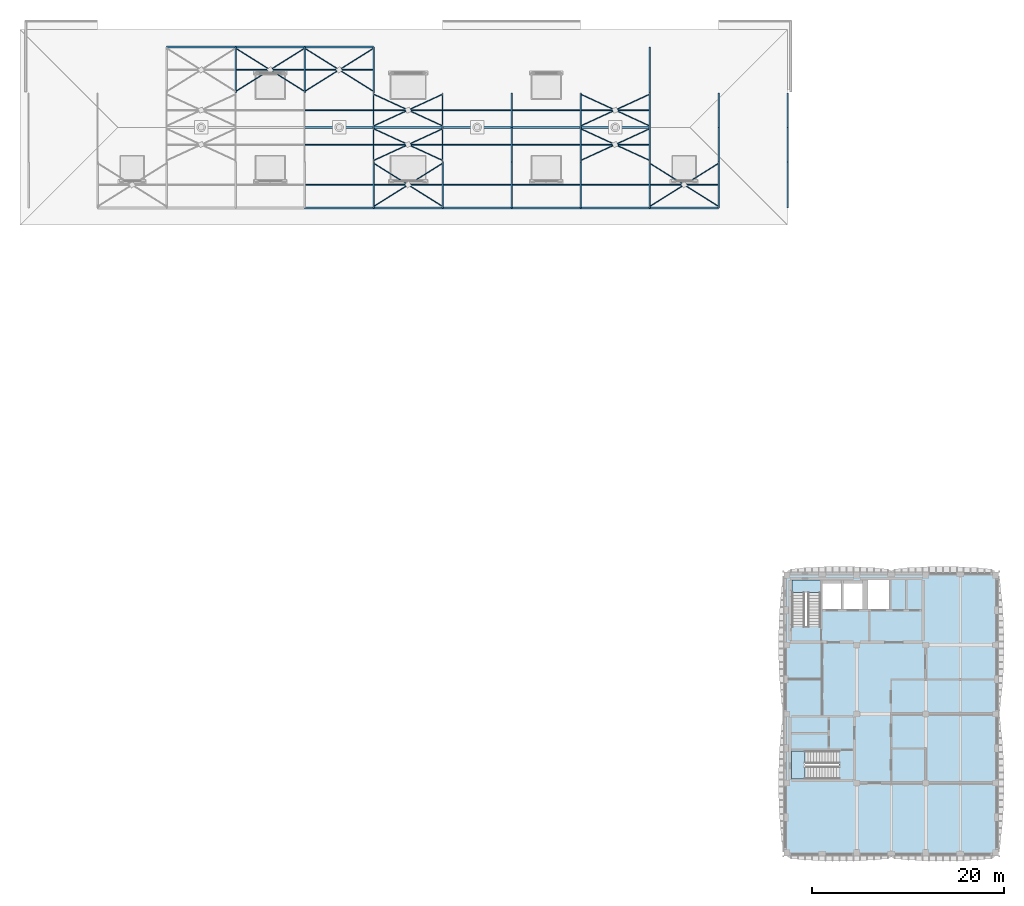
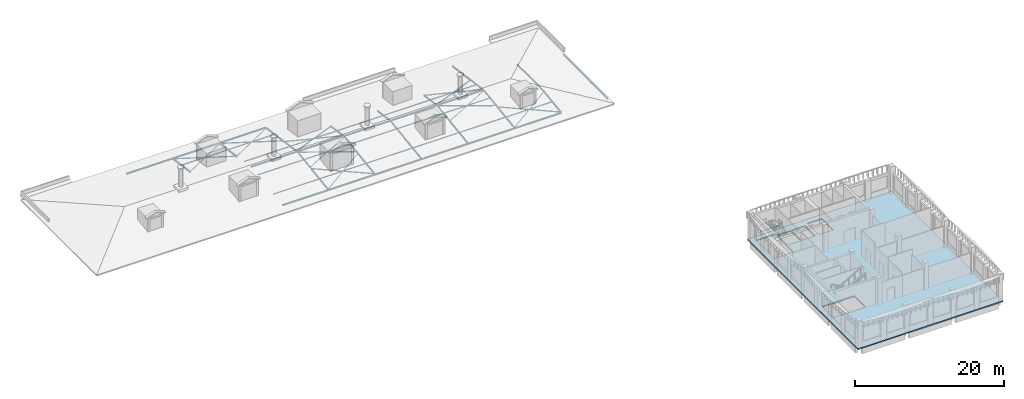
# One storey, part 2 of 24: 81 members, 3 slabs, 2 elements without a shape of their own.
"""IFC4 building model written with IfcOpenShell, lengths in metres."""

from ifc_helpers import new_model, si_unit, direction, frame, origin, origin_2d, place, context, subcontext, project, spatial, polyline, hollow_rectangle, hollow_circle, i_section, outline, extrude, material, layer, layer_set, material_profile, profile_set, type_object, element, aggregate, save


model = new_model("IFC4")

# Units and contexts
model_context = context("Model", 3, precision=1e-05, world=origin(), true_north=direction((0.0, 1.0)))
body_context = subcontext(model_context, "Body", "Model", "MODEL_VIEW")
ifc_project = project(units=[si_unit("LENGTHUNIT", "METRE"), si_unit("AREAUNIT", "SQUARE_METRE"), si_unit("VOLUMEUNIT", "CUBIC_METRE"), si_unit("PLANEANGLEUNIT", "RADIAN"), si_unit("MASSUNIT", "GRAM", prefix="KILO")], contexts=[model_context])

# Site, building, storey
site_placement = place(None, origin())
site = spatial("IfcSite", under=ifc_project, at=site_placement, CompositionType="ELEMENT")
building_placement = place(site_placement, origin())
building = spatial("IfcBuilding", under=site, at=building_placement, Name="Ussher Court Research Institute", CompositionType="ELEMENT")
storey_placement = place(building_placement, frame((0.0, 0.0, 32.39990234375)))
storey = spatial("IfcBuildingStorey", under=building, at=storey_placement, Name="L07", CompositionType="ELEMENT", Elevation=32.39990234375)

# Members
ifc_material_1 = material(Name="Steel S355", Category="steel")
ifc_material_profile_1 = material_profile(ifc_material_1, hollow_circle(Radius=0.056884765625, WallThickness=0.0048828125, at=origin_2d()), Name="CHS 114x5")
ifc_profile_set_1 = profile_set([ifc_material_profile_1], Name="Steel S355")
member_type_1 = type_object("IfcMemberType", Name="CHS 114x5 brace", PredefinedType="BRACE", material=ifc_profile_set_1)
member_1_placement = place(storey_placement, frame((39.00927734375, 71.35009765625, -0.02490234375), z_axis=(0.845032241138, 0.52951331867, 0.074405354566), x_axis=(-0.530985167162, 0.847381113935, 0.0)))
element("IfcMember", 1, at=member_1_placement, inside=storey, type_object=member_type_1, Name="RB1 V5 L07-04", PredefinedType="BRACE", context=body_context, shape_type="SweptSolid", body=[
    extrude(hollow_circle(Radius=0.056884765625, WallThickness=0.0048828125, at=origin_2d()), origin(), (0.0, 0.0, 1.0), 8.498291015625),
])
for number, where, z_axis, x_axis, name in (
    (2, (39.00927734375, 75.85009765625, 0.607421875), (0.845019063031, -0.529535180908, -0.074399430743), (0.531006854827, 0.847367523644, 0.0), "RB1 V5 L07-05"),
    (3, (42.649658203125, 73.56884765625, 0.286865234375), (0.845045132744, -0.529493254714, -0.074401726042), (0.530964903291, 0.847393811326, 0.0), "RB1 V5 L07-06"),
):
    element("IfcMember", number, at=place(storey_placement, frame(where, z_axis=z_axis, x_axis=x_axis)), inside=storey, type_object=member_type_1, Name=name, PredefinedType="BRACE", context=body_context, shape_type="SweptSolid", body=[
        extrude(hollow_circle(Radius=0.056884765625, WallThickness=0.0048828125, at=origin_2d()), origin(), (0.0, 0.0, 1.0), 4.1904296875),
    ])
member_2_placement = place(storey_placement, frame((67.809326171875, 71.35009765625, -0.02490234375), z_axis=(0.845032241138, 0.52951331867, 0.074405354566), x_axis=(-0.530985167162, 0.847381113935, 0.0)))
element("IfcMember", 4, at=member_2_placement, inside=storey, type_object=member_type_1, Name="RB1 V5 L07-07", PredefinedType="BRACE", context=body_context, shape_type="SweptSolid", body=[
    extrude(hollow_circle(Radius=0.056884765625, WallThickness=0.0048828125, at=origin_2d()), origin(), (0.0, 0.0, 1.0), 8.498291015625),
])
for number, where, z_axis, x_axis, name in (
    (5, (67.809326171875, 75.85009765625, 0.607421875), (0.845019063031, -0.529535180908, -0.074399430743), (0.531006854827, 0.847367523644, 0.0), "RB1 V5 L07-08"),
    (6, (71.44970703125, 73.56884765625, 0.286865234375), (0.845045132744, -0.529493254714, -0.074401726042), (0.530964903291, 0.847393811326, 0.0), "RB1 V5 L07-09"),
):
    element("IfcMember", number, at=place(storey_placement, frame(where, z_axis=z_axis, x_axis=x_axis)), inside=storey, type_object=member_type_1, Name=name, PredefinedType="BRACE", context=body_context, shape_type="SweptSolid", body=[
        extrude(hollow_circle(Radius=0.056884765625, WallThickness=0.0048828125, at=origin_2d()), origin(), (0.0, 0.0, 1.0), 4.1904296875),
    ])
member_3_placement = place(storey_placement, frame((39.009033203125, 76.14990234375, 0.649658203125), z_axis=(0.907103291357, 0.416810524162, 0.058588443879), x_axis=(-0.417527744244, 0.908664174922, 0.0)))
element("IfcMember", 7, at=member_3_placement, inside=storey, type_object=member_type_1, Name="RB1 V5 L07-13", PredefinedType="BRACE", context=body_context, shape_type="SweptSolid", body=[
    extrude(hollow_circle(Radius=0.056884765625, WallThickness=0.0048828125, at=origin_2d()), origin(), (0.0, 0.0, 1.0), 7.91748046875),
])
member_4_placement = place(storey_placement, frame((39.009033203125, 79.449951171875, 1.113525390625), z_axis=(0.907105449225, -0.416800234091, -0.058628225699), x_axis=(0.417518413284, 0.908668462405, 0.0)))
element("IfcMember", 8, at=member_4_placement, inside=storey, type_object=member_type_1, Name="RB1 V5 L07-14", PredefinedType="BRACE", context=body_context, shape_type="SweptSolid", body=[
    extrude(hollow_circle(Radius=0.056884765625, WallThickness=0.0048828125, at=origin_2d()), origin(), (0.0, 0.0, 1.0), 3.889404296875),
])
member_5_placement = place(storey_placement, frame((42.6630859375, 77.77099609375, 0.87744140625), z_axis=(0.907097664625, -0.416825501253, -0.05856900492), x_axis=(0.41754227001, 0.908657500247, 0.0)))
element("IfcMember", 9, at=member_5_placement, inside=storey, type_object=member_type_1, Name="RB1 V5 L07-15", PredefinedType="BRACE", context=body_context, shape_type="SweptSolid", body=[
    extrude(hollow_circle(Radius=0.056884765625, WallThickness=0.0048828125, at=origin_2d()), origin(), (0.0, 0.0, 1.0), 3.88916015625),
])
member_6_placement = place(storey_placement, frame((60.609130859375, 76.14990234375, 0.649658203125), z_axis=(0.907103291357, 0.416810524162, 0.058588443879), x_axis=(-0.417527744244, 0.908664174922, 0.0)))
element("IfcMember", 10, at=member_6_placement, inside=storey, type_object=member_type_1, Name="RB1 V5 L07-16", PredefinedType="BRACE", context=body_context, shape_type="SweptSolid", body=[
    extrude(hollow_circle(Radius=0.056884765625, WallThickness=0.0048828125, at=origin_2d()), origin(), (0.0, 0.0, 1.0), 7.91748046875),
])
member_7_placement = place(storey_placement, frame((60.609130859375, 79.449951171875, 1.113525390625), z_axis=(0.907094327762, -0.416823967913, -0.058631564161), x_axis=(0.41754227001, 0.908657500247, 0.0)))
element("IfcMember", 11, at=member_7_placement, inside=storey, type_object=member_type_1, Name="RB1 V5 L07-17", PredefinedType="BRACE", context=body_context, shape_type="SweptSolid", body=[
    extrude(hollow_circle(Radius=0.056884765625, WallThickness=0.0048828125, at=origin_2d()), origin(), (0.0, 0.0, 1.0), 3.88916015625),
])
member_8_placement = place(storey_placement, frame((64.262939453125, 77.77099609375, 0.87744140625), z_axis=(0.907108785749, -0.41680176717, -0.058565669995), x_axis=(0.417518413284, 0.908668462405, 0.0)))
element("IfcMember", 12, at=member_8_placement, inside=storey, type_object=member_type_1, Name="RB1 V5 L07-18", PredefinedType="BRACE", context=body_context, shape_type="SweptSolid", body=[
    extrude(hollow_circle(Radius=0.056884765625, WallThickness=0.0048828125, at=origin_2d()), origin(), (0.0, 0.0, 1.0), 3.889404296875),
])
member_9_placement = place(storey_placement, frame((39.009033203125, 79.75, 1.113525390625), z_axis=(0.907103291357, 0.416810524162, -0.058588443879), x_axis=(-0.417527744244, 0.908664174922, 0.0)))
element("IfcMember", 13, at=member_9_placement, inside=storey, type_object=member_type_1, Name="RB1 V5 L07-22", PredefinedType="BRACE", context=body_context, shape_type="SweptSolid", body=[
    extrude(hollow_circle(Radius=0.056884765625, WallThickness=0.0048828125, at=origin_2d()), origin(), (0.0, 0.0, 1.0), 7.91748046875),
])
member_10_placement = place(storey_placement, frame((39.009033203125, 83.050048828125, 0.649658203125), z_axis=(0.907108785749, -0.41680176717, 0.058565669995), x_axis=(0.417518413284, 0.908668462405, 0.0)))
element("IfcMember", 14, at=member_10_placement, inside=storey, type_object=member_type_1, Name="RB1 V5 L07-23", PredefinedType="BRACE", context=body_context, shape_type="SweptSolid", body=[
    extrude(hollow_circle(Radius=0.056884765625, WallThickness=0.0048828125, at=origin_2d()), origin(), (0.0, 0.0, 1.0), 3.889404296875),
])
member_11_placement = place(storey_placement, frame((42.6630859375, 81.37109375, 0.885498046875), z_axis=(0.907094327762, -0.416823967913, 0.058631564161), x_axis=(0.41754227001, 0.908657500247, 0.0)))
element("IfcMember", 15, at=member_11_placement, inside=storey, type_object=member_type_1, Name="RB1 V5 L07-24", PredefinedType="BRACE", context=body_context, shape_type="SweptSolid", body=[
    extrude(hollow_circle(Radius=0.056884765625, WallThickness=0.0048828125, at=origin_2d()), origin(), (0.0, 0.0, 1.0), 3.88916015625),
])
member_12_placement = place(storey_placement, frame((60.609130859375, 79.75, 1.113525390625), z_axis=(0.907103291357, 0.416810524162, -0.058588443879), x_axis=(-0.417527744244, 0.908664174922, 0.0)))
element("IfcMember", 16, at=member_12_placement, inside=storey, type_object=member_type_1, Name="RB1 V5 L07-25", PredefinedType="BRACE", context=body_context, shape_type="SweptSolid", body=[
    extrude(hollow_circle(Radius=0.056884765625, WallThickness=0.0048828125, at=origin_2d()), origin(), (0.0, 0.0, 1.0), 7.91748046875),
])
member_13_placement = place(storey_placement, frame((60.609130859375, 83.050048828125, 0.649658203125), z_axis=(0.907097664625, -0.416825501253, 0.05856900492), x_axis=(0.41754227001, 0.908657500247, 0.0)))
element("IfcMember", 17, at=member_13_placement, inside=storey, type_object=member_type_1, Name="RB1 V5 L07-26", PredefinedType="BRACE", context=body_context, shape_type="SweptSolid", body=[
    extrude(hollow_circle(Radius=0.056884765625, WallThickness=0.0048828125, at=origin_2d()), origin(), (0.0, 0.0, 1.0), 3.88916015625),
])
member_14_placement = place(storey_placement, frame((64.262939453125, 81.37109375, 0.885498046875), z_axis=(0.907105449225, -0.416800234091, 0.058628225699), x_axis=(0.417518413284, 0.908668462405, 0.0)))
element("IfcMember", 18, at=member_14_placement, inside=storey, type_object=member_type_1, Name="RB1 V5 L07-27", PredefinedType="BRACE", context=body_context, shape_type="SweptSolid", body=[
    extrude(hollow_circle(Radius=0.056884765625, WallThickness=0.0048828125, at=origin_2d()), origin(), (0.0, 0.0, 1.0), 3.889404296875),
])
member_15_placement = place(storey_placement, frame((24.609375, 83.35009765625, 0.607421875), z_axis=(0.845032241138, 0.52951331867, -0.074405354566), x_axis=(-0.530985167162, 0.847381113935, 0.0)))
element("IfcMember", 19, at=member_15_placement, inside=storey, type_object=member_type_1, Name="RB1 V5 L07-31", PredefinedType="BRACE", context=body_context, shape_type="SweptSolid", body=[
    extrude(hollow_circle(Radius=0.056884765625, WallThickness=0.0048828125, at=origin_2d()), origin(), (0.0, 0.0, 1.0), 8.498291015625),
])
for number, where, z_axis, x_axis, name in (
    (20, (24.609375, 87.85009765625, -0.02490234375), (0.845019063031, -0.529535180908, 0.074399430743), (0.531006854827, 0.847367523644, 0.0), "RB1 V5 L07-32"),
    (21, (28.24951171875, 85.56884765625, 0.295654296875), (0.845061788803, -0.529467186256, 0.074398063034), (0.530938616878, 0.84741028145, 0.0), "RB1 V5 L07-33"),
):
    element("IfcMember", number, at=place(storey_placement, frame(where, z_axis=z_axis, x_axis=x_axis)), inside=storey, type_object=member_type_1, Name=name, PredefinedType="BRACE", context=body_context, shape_type="SweptSolid", body=[
        extrude(hollow_circle(Radius=0.056884765625, WallThickness=0.0048828125, at=origin_2d()), origin(), (0.0, 0.0, 1.0), 4.1904296875),
    ])
member_16_placement = place(storey_placement, frame((31.809326171875, 83.35009765625, 0.607421875), z_axis=(0.845032241138, 0.52951331867, -0.074405354566), x_axis=(-0.530985167162, 0.847381113935, 0.0)))
element("IfcMember", 22, at=member_16_placement, inside=storey, type_object=member_type_1, Name="RB1 V5 L07-34", PredefinedType="BRACE", context=body_context, shape_type="SweptSolid", body=[
    extrude(hollow_circle(Radius=0.056884765625, WallThickness=0.0048828125, at=origin_2d()), origin(), (0.0, 0.0, 1.0), 8.498291015625),
])
for number, where, z_axis, x_axis, name in (
    (23, (31.809326171875, 87.85009765625, -0.02490234375), (0.845019063031, -0.529535180908, 0.074399430743), (0.531006854827, 0.847367523644, 0.0), "RB1 V5 L07-35"),
    (24, (35.44970703125, 85.56884765625, 0.295654296875), (0.845045132744, -0.529493254714, 0.074401726042), (0.530964903291, 0.847393811326, 0.0), "RB1 V5 L07-36"),
):
    element("IfcMember", number, at=place(storey_placement, frame(where, z_axis=z_axis, x_axis=x_axis)), inside=storey, type_object=member_type_1, Name=name, PredefinedType="BRACE", context=body_context, shape_type="SweptSolid", body=[
        extrude(hollow_circle(Radius=0.056884765625, WallThickness=0.0048828125, at=origin_2d()), origin(), (0.0, 0.0, 1.0), 4.1904296875),
    ])
ifc_material_2 = material(Name="Steel S355", Category="steel")
ifc_material_profile_2 = material_profile(ifc_material_2, i_section(OverallWidth=0.199951171875, OverallDepth=0.18994140625, WebThickness=0.006591796875, FlangeThickness=0.010009765625, at=origin_2d()), Name="HEA 200")
ifc_profile_set_2 = profile_set([ifc_material_profile_2], Name="Steel S355")
member_type_2 = type_object("IfcMemberType", Name="HEA 200 purlin", PredefinedType="PURLIN", material=ifc_profile_set_2)
for number, where, z_axis, x_axis, name in (
    (25, (31.800048828125, 79.60009765625, 1.128662109375), (1.0, 0.0, 0.0), (0.0, 1.0, 0.0), "SP1 V5 L07-03"),
    (26, (39.0, 79.60009765625, 1.128662109375), (1.0, 0.0, 0.0), (0.0, 1.0, 0.0), "SP1 V5 L07-04"),
    (27, (46.199951171875, 79.60009765625, 1.128662109375), (1.0, 0.0, 0.0), (0.0, 1.0, 0.0), "SP1 V5 L07-05"),
):
    element("IfcMember", number, at=place(storey_placement, frame(where, z_axis=z_axis, x_axis=x_axis)), inside=storey, type_object=member_type_2, Name=name, PredefinedType="PURLIN", context=body_context, shape_type="SweptSolid", body=[
        extrude(i_section(OverallWidth=0.199951171875, OverallDepth=0.18994140625, WebThickness=0.006591796875, FlangeThickness=0.010009765625, at=origin_2d()), origin(), (0.0, 0.0, 1.0), 7.199951171875),
    ])
member_17_placement = place(storey_placement, frame((53.39990234375, 79.60009765625, 1.128662109375), z_axis=(1.0, 0.0, 0.0), x_axis=(0.0, 1.0, 0.0)))
element("IfcMember", 28, at=member_17_placement, inside=storey, type_object=member_type_2, Name="SP1 V5 L07-06", PredefinedType="PURLIN", context=body_context, shape_type="SweptSolid", body=[
    extrude(i_section(OverallWidth=0.199951171875, OverallDepth=0.18994140625, WebThickness=0.006591796875, FlangeThickness=0.010009765625, at=origin_2d()), origin(), (0.0, 0.0, 1.0), 7.2001953125),
])
member_18_placement = place(storey_placement, frame((60.60009765625, 79.60009765625, 1.128662109375), z_axis=(1.0, 0.0, 0.0), x_axis=(0.0, 1.0, 0.0)))
element("IfcMember", 29, at=member_18_placement, inside=storey, type_object=member_type_2, Name="SP1 V5 L07-07", PredefinedType="PURLIN", context=body_context, shape_type="SweptSolid", body=[
    extrude(i_section(OverallWidth=0.199951171875, OverallDepth=0.18994140625, WebThickness=0.006591796875, FlangeThickness=0.010009765625, at=origin_2d()), origin(), (0.0, 0.0, 1.0), 7.199951171875),
])
ifc_material_3 = material(Name="Steel S355", Category="steel")
ifc_material_profile_3 = material_profile(ifc_material_3, i_section(OverallWidth=0.199951171875, OverallDepth=0.199951171875, WebThickness=0.009033203125, FlangeThickness=0.014892578125, at=origin_2d()), Name="HEB 200")
ifc_profile_set_3 = profile_set([ifc_material_profile_3], Name="Steel S355")
member_type_3 = type_object("IfcMemberType", Name="HEB 200 purlin", PredefinedType="PURLIN", material=ifc_profile_set_3)
for number, where, z_axis, x_axis, name in (
    (30, (31.800048828125, 71.199951171875, -0.056884765625), (1.0, 0.0, 0.0), (0.0, 1.0, 0.0), "SP5 V5 L07-04"),
    (31, (39.0, 71.199951171875, -0.056884765625), (1.0, 0.0, 0.0), (0.0, 1.0, 0.0), "SP5 V5 L07-05"),
    (32, (46.199951171875, 71.199951171875, -0.056884765625), (1.0, 0.0, 0.0), (0.0, 1.0, 0.0), "SP5 V5 L07-06"),
):
    element("IfcMember", number, at=place(storey_placement, frame(where, z_axis=z_axis, x_axis=x_axis)), inside=storey, type_object=member_type_3, Name=name, PredefinedType="PURLIN", context=body_context, shape_type="SweptSolid", body=[
        extrude(i_section(OverallWidth=0.199951171875, OverallDepth=0.199951171875, WebThickness=0.009033203125, FlangeThickness=0.014892578125, at=origin_2d()), origin(), (0.0, 0.0, 1.0), 7.199951171875),
    ])
member_19_placement = place(storey_placement, frame((53.39990234375, 71.199951171875, -0.056884765625), z_axis=(1.0, 0.0, 0.0), x_axis=(0.0, 1.0, 0.0)))
element("IfcMember", 33, at=member_19_placement, inside=storey, type_object=member_type_3, Name="SP5 V5 L07-07", PredefinedType="PURLIN", context=body_context, shape_type="SweptSolid", body=[
    extrude(i_section(OverallWidth=0.199951171875, OverallDepth=0.199951171875, WebThickness=0.009033203125, FlangeThickness=0.014892578125, at=origin_2d()), origin(), (0.0, 0.0, 1.0), 7.2001953125),
])
for number, where, z_axis, x_axis, name in (
    (34, (60.60009765625, 71.199951171875, -0.056884765625), (1.0, 0.0, 0.0), (0.0, 1.0, 0.0), "SP5 V5 L07-08"),
    (35, (67.800048828125, 71.199951171875, -0.056884765625), (1.0, 0.0, 0.0), (0.0, 1.0, 0.0), "SP5 V5 L07-09"),
):
    element("IfcMember", number, at=place(storey_placement, frame(where, z_axis=z_axis, x_axis=x_axis)), inside=storey, type_object=member_type_3, Name=name, PredefinedType="PURLIN", context=body_context, shape_type="SweptSolid", body=[
        extrude(i_section(OverallWidth=0.199951171875, OverallDepth=0.199951171875, WebThickness=0.009033203125, FlangeThickness=0.014892578125, at=origin_2d()), origin(), (0.0, 0.0, 1.0), 7.199951171875),
    ])
member_20_placement = place(storey_placement, frame((17.39990234375, 88.0, -0.056884765625), z_axis=(1.0, 0.0, 0.0), x_axis=(0.0, 1.0, 0.0)))
element("IfcMember", 36, at=member_20_placement, inside=storey, type_object=member_type_3, Name="SP5 V5 L07-10", PredefinedType="PURLIN", context=body_context, shape_type="SweptSolid", body=[
    extrude(i_section(OverallWidth=0.199951171875, OverallDepth=0.199951171875, WebThickness=0.009033203125, FlangeThickness=0.014892578125, at=origin_2d()), origin(), (0.0, 0.0, 1.0), 7.2001953125),
])
for number, where, z_axis, x_axis, name in (
    (37, (24.60009765625, 88.0, -0.056884765625), (1.0, 0.0, 0.0), (0.0, 1.0, 0.0), "SP5 V5 L07-11"),
    (38, (31.800048828125, 88.0, -0.056884765625), (1.0, 0.0, 0.0), (0.0, 1.0, 0.0), "SP5 V5 L07-12"),
):
    element("IfcMember", number, at=place(storey_placement, frame(where, z_axis=z_axis, x_axis=x_axis)), inside=storey, type_object=member_type_3, Name=name, PredefinedType="PURLIN", context=body_context, shape_type="SweptSolid", body=[
        extrude(i_section(OverallWidth=0.199951171875, OverallDepth=0.199951171875, WebThickness=0.009033203125, FlangeThickness=0.014892578125, at=origin_2d()), origin(), (0.0, 0.0, 1.0), 7.199951171875),
    ])
ifc_material_4 = material(Name="Steel S355", Category="steel")
ifc_material_profile_4 = material_profile(ifc_material_4, i_section(OverallWidth=0.1201171875, OverallDepth=0.239990234375, WebThickness=0.006103515625, FlangeThickness=0.009765625, at=origin_2d()), Name="IPE 240")
ifc_profile_set_4 = profile_set([ifc_material_profile_4], Name="Steel S355")
member_type_4 = type_object("IfcMemberType", Name="IPE 240 rafter", PredefinedType="RAFTER", material=ifc_profile_set_4)
for number, where, z_axis, x_axis, name in (
    (39, (39.0, 76.0166015625, 0.61279296875), (0.0, 0.990262655095, 0.139211615625), (-1.0, 0.0, 0.0), "SR4 V5 L07-11"),
    (40, (39.0, 79.583251953125, 1.118896484375), (0.0, 0.990262655095, -0.139211615625), (-1.0, 0.0, 0.0), "SR4 V5 L07-12"),
    (41, (46.199951171875, 76.0166015625, 0.61279296875), (0.0, 0.990262655095, 0.139211615625), (-1.0, 0.0, 0.0), "SR4 V5 L07-13"),
    (42, (46.199951171875, 79.583251953125, 1.118896484375), (0.0, 0.990262655095, -0.139211615625), (-1.0, 0.0, 0.0), "SR4 V5 L07-14"),
    (43, (53.39990234375, 76.0166015625, 0.61279296875), (0.0, 0.990262655095, 0.139211615625), (-1.0, 0.0, 0.0), "SR4 V5 L07-15"),
    (44, (53.39990234375, 79.583251953125, 1.118896484375), (0.0, 0.990262655095, -0.139211615625), (-1.0, 0.0, 0.0), "SR4 V5 L07-16"),
    (45, (60.60009765625, 76.0166015625, 0.61279296875), (0.0, 0.990262655095, 0.139211615625), (-1.0, 0.0, 0.0), "SR4 V5 L07-17"),
    (46, (60.60009765625, 79.583251953125, 1.118896484375), (0.0, 0.990262655095, -0.139211615625), (-1.0, 0.0, 0.0), "SR4 V5 L07-18"),
    (47, (67.800048828125, 76.0166015625, 0.61279296875), (0.0, 0.990262655095, 0.139211615625), (-1.0, 0.0, 0.0), "SR4 V5 L07-19"),
    (48, (67.800048828125, 79.583251953125, 1.118896484375), (0.0, 0.990262655095, -0.139211615625), (-1.0, 0.0, 0.0), "SR4 V5 L07-20"),
):
    element("IfcMember", number, at=place(storey_placement, frame(where, z_axis=z_axis, x_axis=x_axis)), inside=storey, type_object=member_type_4, Name=name, PredefinedType="RAFTER", context=body_context, shape_type="SweptSolid", body=[
        extrude(i_section(OverallWidth=0.1201171875, OverallDepth=0.239990234375, WebThickness=0.006103515625, FlangeThickness=0.009765625, at=origin_2d()), origin(), (0.0, 0.0, 1.0), 3.635498046875),
    ])
for number, where, z_axis, x_axis, name in (
    (49, (75.0, 76.00244140625, 0.61181640625), (0.0, 0.999779097308, 0.02101800625), (-1.0, 0.0, 0.0), "SR4 V5 L07-21"),
    (50, (75.0, 79.597412109375, 0.6875), (0.0, 0.999779097308, -0.02101800625), (-1.0, 0.0, 0.0), "SR4 V5 L07-22"),
):
    element("IfcMember", number, at=place(storey_placement, frame(where, z_axis=z_axis, x_axis=x_axis)), inside=storey, type_object=member_type_4, Name=name, PredefinedType="RAFTER", context=body_context, shape_type="SweptSolid", body=[
        extrude(i_section(OverallWidth=0.1201171875, OverallDepth=0.239990234375, WebThickness=0.006103515625, FlangeThickness=0.009765625, at=origin_2d()), origin(), (0.0, 0.0, 1.0), 3.600830078125),
    ])
member_21_placement = place(storey_placement, frame((82.199951171875, 76.0, -0.31591796875), z_axis=(0.0, 1.0, 0.0), x_axis=(-1.0, 0.0, 0.0)))
element("IfcMember", 51, at=member_21_placement, inside=storey, type_object=member_type_4, Name="SR4 V5 L07-23", PredefinedType="RAFTER", context=body_context, shape_type="SweptSolid", body=[
    extrude(i_section(OverallWidth=0.1201171875, OverallDepth=0.239990234375, WebThickness=0.006103515625, FlangeThickness=0.009765625, at=origin_2d()), origin(), (0.0, 0.0, 1.0), 3.60009765625),
])
member_22_placement = place(storey_placement, frame((82.199951171875, 79.60009765625, -0.31591796875), z_axis=(0.0, 1.0, 0.0), x_axis=(-1.0, 0.0, 0.0)))
element("IfcMember", 52, at=member_22_placement, inside=storey, type_object=member_type_4, Name="SR4 V5 L07-24", PredefinedType="RAFTER", context=body_context, shape_type="SweptSolid", body=[
    extrude(i_section(OverallWidth=0.1201171875, OverallDepth=0.239990234375, WebThickness=0.006103515625, FlangeThickness=0.009765625, at=origin_2d()), origin(), (0.0, 0.0, 1.0), 3.599853515625),
])
ifc_material_5 = material(Name="Steel S355", Category="steel")
ifc_material_profile_5 = material_profile(ifc_material_5, i_section(OverallWidth=0.135009765625, OverallDepth=0.27001953125, WebThickness=0.006591796875, FlangeThickness=0.01025390625, at=origin_2d()), Name="IPE 270")
ifc_profile_set_5 = profile_set([ifc_material_profile_5], Name="Steel S355")
member_type_5 = type_object("IfcMemberType", Name="IPE 270 rafter", PredefinedType="RAFTER", material=ifc_profile_set_5)
for number, where, z_axis, x_axis, name in (
    (53, (24.60009765625, 83.18115234375, 0.597900390625), (0.0, 0.990269272028, -0.139164538864), (-1.0, 0.0, 0.0), "SR2 V5 L07-06"),
    (54, (31.800048828125, 83.18115234375, 0.597900390625), (0.0, 0.990269272028, -0.139164538864), (-1.0, 0.0, 0.0), "SR2 V5 L07-08"),
    (55, (39.0, 71.21875, -0.07666015625), (0.0, 0.990269272028, 0.139164538864), (-1.0, 0.0, 0.0), "SR2 V5 L07-09"),
    (56, (39.0, 83.18115234375, 0.597900390625), (0.0, 0.990269272028, -0.139164538864), (-1.0, 0.0, 0.0), "SR2 V5 L07-10"),
    (57, (46.199951171875, 71.21875, -0.07666015625), (0.0, 0.990269272028, 0.139164538864), (-1.0, 0.0, 0.0), "SR2 V5 L07-11"),
    (58, (53.39990234375, 71.21875, -0.07666015625), (0.0, 0.990269272028, 0.139164538864), (-1.0, 0.0, 0.0), "SR2 V5 L07-12"),
    (59, (60.60009765625, 71.21875, -0.07666015625), (0.0, 0.990269272028, 0.139164538864), (-1.0, 0.0, 0.0), "SR2 V5 L07-13"),
    (60, (67.800048828125, 71.21875, -0.07666015625), (0.0, 0.990269272028, 0.139164538864), (-1.0, 0.0, 0.0), "SR2 V5 L07-14"),
    (61, (67.800048828125, 83.18115234375, 0.597900390625), (0.0, 0.990269272028, -0.139164538864), (-1.0, 0.0, 0.0), "SR2 V5 L07-15"),
    (62, (75.0, 71.21875, -0.07666015625), (0.0, 0.990269272028, 0.139164538864), (-1.0, 0.0, 0.0), "SR2 V5 L07-16"),
):
    element("IfcMember", number, at=place(storey_placement, frame(where, z_axis=z_axis, x_axis=x_axis)), inside=storey, type_object=member_type_5, Name=name, PredefinedType="RAFTER", context=body_context, shape_type="SweptSolid", body=[
        extrude(i_section(OverallWidth=0.135009765625, OverallDepth=0.27001953125, WebThickness=0.006591796875, FlangeThickness=0.01025390625, at=origin_2d()), origin(), (0.0, 0.0, 1.0), 4.84716796875),
    ])
member_23_placement = place(storey_placement, frame((82.199951171875, 71.199951171875, -0.330810546875), z_axis=(0.0, 1.0, 0.0), x_axis=(-1.0, 0.0, 0.0)))
element("IfcMember", 63, at=member_23_placement, inside=storey, type_object=member_type_5, Name="SR2 V5 L07-17", PredefinedType="RAFTER", context=body_context, shape_type="SweptSolid", body=[
    extrude(i_section(OverallWidth=0.135009765625, OverallDepth=0.27001953125, WebThickness=0.006591796875, FlangeThickness=0.01025390625, at=origin_2d()), origin(), (0.0, 0.0, 1.0), 4.800048828125),
])
ifc_material_6 = material(Name="Steel S355", Category="steel")
ifc_material_profile_6 = material_profile(ifc_material_6, hollow_rectangle(XDim=0.10009765625, YDim=0.14990234375, WallThickness=0.006103515625, at=origin_2d()), Name="RHS 150x100x6")
ifc_profile_set_6 = profile_set([ifc_material_profile_6], Name="Steel S355")
member_type_6 = type_object("IfcMemberType", Name="RHS 150x100x6 purlin", PredefinedType="PURLIN", material=ifc_profile_set_6)
for number, where, z_axis, x_axis, name in (
    (64, (31.80322265625, 73.60009765625, 0.3125), (1.0, 0.0, 0.0), (0.0, 1.0, 0.0), "SP3 V5 L07-04"),
    (65, (39.00341796875, 73.60009765625, 0.3125), (1.0, 0.0, 0.0), (0.0, 1.0, 0.0), "SP3 V5 L07-05"),
    (66, (46.203369140625, 73.60009765625, 0.3125), (1.0, 0.0, 0.0), (0.0, 1.0, 0.0), "SP3 V5 L07-06"),
    (67, (53.4033203125, 73.60009765625, 0.3125), (1.0, 0.0, 0.0), (0.0, 1.0, 0.0), "SP3 V5 L07-07"),
    (68, (60.603271484375, 73.60009765625, 0.3125), (1.0, 0.0, 0.0), (0.0, 1.0, 0.0), "SP3 V5 L07-08"),
    (69, (67.80322265625, 73.60009765625, 0.3125), (1.0, 0.0, 0.0), (0.0, 1.0, 0.0), "SP3 V5 L07-09"),
):
    element("IfcMember", number, at=place(storey_placement, frame(where, z_axis=z_axis, x_axis=x_axis)), inside=storey, type_object=member_type_6, Name=name, PredefinedType="PURLIN", context=body_context, shape_type="SweptSolid", body=[
        extrude(hollow_rectangle(XDim=0.10009765625, YDim=0.14990234375, WallThickness=0.006103515625, at=origin_2d()), origin(), (0.0, 0.0, 1.0), 7.193359375),
    ])
for number, where, z_axis, x_axis, name in (
    (70, (31.802978515625, 77.800048828125, 0.902587890625), (1.0, 0.0, 0.0), (0.0, 1.0, 0.0), "SP3 V5 L07-12"),
    (71, (39.003173828125, 77.800048828125, 0.902587890625), (1.0, 0.0, 0.0), (0.0, 1.0, 0.0), "SP3 V5 L07-13"),
    (72, (46.203125, 77.800048828125, 0.902587890625), (1.0, 0.0, 0.0), (0.0, 1.0, 0.0), "SP3 V5 L07-14"),
    (73, (53.403076171875, 77.800048828125, 0.902587890625), (1.0, 0.0, 0.0), (0.0, 1.0, 0.0), "SP3 V5 L07-15"),
    (74, (60.60302734375, 77.800048828125, 0.902587890625), (1.0, 0.0, 0.0), (0.0, 1.0, 0.0), "SP3 V5 L07-16"),
    (75, (31.802978515625, 81.39990234375, 0.902587890625), (1.0, 0.0, 0.0), (0.0, 1.0, 0.0), "SP3 V5 L07-19"),
    (76, (39.003173828125, 81.39990234375, 0.902587890625), (1.0, 0.0, 0.0), (0.0, 1.0, 0.0), "SP3 V5 L07-20"),
    (77, (46.203125, 81.39990234375, 0.902587890625), (1.0, 0.0, 0.0), (0.0, 1.0, 0.0), "SP3 V5 L07-21"),
    (78, (53.403076171875, 81.39990234375, 0.902587890625), (1.0, 0.0, 0.0), (0.0, 1.0, 0.0), "SP3 V5 L07-22"),
    (79, (60.60302734375, 81.39990234375, 0.902587890625), (1.0, 0.0, 0.0), (0.0, 1.0, 0.0), "SP3 V5 L07-23"),
):
    element("IfcMember", number, at=place(storey_placement, frame(where, z_axis=z_axis, x_axis=x_axis)), inside=storey, type_object=member_type_6, Name=name, PredefinedType="PURLIN", context=body_context, shape_type="SweptSolid", body=[
        extrude(hollow_rectangle(XDim=0.10009765625, YDim=0.14990234375, WallThickness=0.006103515625, at=origin_2d()), origin(), (0.0, 0.0, 1.0), 7.19384765625),
    ])
for number, where, z_axis, x_axis, name in (
    (80, (24.603271484375, 85.60009765625, 0.3125), (1.0, 0.0, 0.0), (0.0, 1.0, 0.0), "SP3 V5 L07-25"),
    (81, (31.80322265625, 85.60009765625, 0.3125), (1.0, 0.0, 0.0), (0.0, 1.0, 0.0), "SP3 V5 L07-26"),
):
    element("IfcMember", number, at=place(storey_placement, frame(where, z_axis=z_axis, x_axis=x_axis)), inside=storey, type_object=member_type_6, Name=name, PredefinedType="PURLIN", context=body_context, shape_type="SweptSolid", body=[
        extrude(hollow_rectangle(XDim=0.10009765625, YDim=0.14990234375, WallThickness=0.006103515625, at=origin_2d()), origin(), (0.0, 0.0, 1.0), 7.193359375),
    ])

# Slab
ifc_material_7 = material(Name="Concrete C35/45", Category="concrete")
ifc_layer_1 = layer(ifc_material_7, 0.199951171875)
ifc_layer_set_1 = layer_set([ifc_layer_1], Name="Concrete C35/45")
slab_type_1 = type_object("IfcSlabType", Name="Floor slab 200", PredefinedType="FLOOR", material=ifc_layer_set_1)
slab_1_placement = place(storey_placement, frame((0.0, 0.0, -0.199951171875)))
element("IfcSlab", 82, at=slab_1_placement, inside=storey, type_object=slab_type_1, Name="FS200 V4 L07-01", PredefinedType="FLOOR", context=body_context, shape_type="SweptSolid", body=[
    extrude(outline(polyline([(81.800048828125, 3.60009765625), (104.199951171875, 3.60009765625), (104.199951171875, 33.199951171875), (81.800048828125, 33.199951171875), (81.800048828125, 3.60009765625)]), holes=[polyline([(82.60009765625, 14.550048828125), (87.550048828125, 14.550048828125), (87.550048828125, 11.60009765625), (82.60009765625, 11.60009765625), (82.60009765625, 14.550048828125)]), polyline([(85.60009765625, 32.35009765625), (85.60009765625, 27.5), (82.64990234375, 27.5), (82.64990234375, 32.35009765625), (85.60009765625, 32.35009765625)]), polyline([(85.800048828125, 32.0), (87.800048828125, 32.0), (87.800048828125, 29.300048828125), (85.800048828125, 29.300048828125), (85.800048828125, 32.0)]), polyline([(90.0, 32.0), (90.0, 29.300048828125), (88.0, 29.300048828125), (88.0, 32.0), (90.0, 32.0)]), polyline([(92.800048828125, 32.35009765625), (92.800048828125, 29.300048828125), (90.60009765625, 29.300048828125), (90.60009765625, 32.35009765625), (92.800048828125, 32.35009765625)])]), origin(), (0.0, 0.0, 1.0), 0.199951171875),
])

# Stair, slab
ifc_material_8 = material(Name="Concrete C35/45", Category="concrete")
stair_type_1 = type_object("IfcStairType", Name="Core stair 26 risers 173 mm x 300 going 1280 wide", PredefinedType="HALF_TURN_STAIR", material=ifc_material_8)
stair_1_placement = place(storey_placement, origin())
stair_1 = element("IfcStair", 83, at=stair_1_placement, inside=storey, type_object=stair_type_1, Name="L07 Stair T1", PredefinedType="HALF_TURN_STAIR")
ifc_material_9 = material(Name="Concrete C35/45", Category="concrete")
ifc_layer_2 = layer(ifc_material_9, 0.199951171875)
ifc_layer_set_2 = layer_set([ifc_layer_2], Name="Concrete C35/45")
slab_type_2 = type_object("IfcSlabType", Name="Stair landing 200 RC", PredefinedType="LANDING", material=ifc_layer_set_2)
slab_2_placement = place(storey_placement, frame((0.0, 0.0, 2.050048828125)))
slab_2 = element("IfcSlab", 84, at=slab_2_placement, type_object=slab_type_2, Name="T1 landing 1", PredefinedType="LANDING", context=body_context, shape_type="SweptSolid", body=[
    extrude(outline(polyline([(85.60009765625, 31.050048828125), (85.60009765625, 32.35009765625), (82.64990234375, 32.35009765625), (82.64990234375, 31.050048828125), (85.60009765625, 31.050048828125)])), origin(), (0.0, 0.0, 1.0), 0.199951171875),
])
aggregate(stair_1, [slab_2])

ifc_material_10 = material(Name="Concrete C35/45", Category="concrete")
stair_type_2 = type_object("IfcStairType", Name="Core stair 26 risers 173 mm x 300 going 1300 wide", PredefinedType="HALF_TURN_STAIR", material=ifc_material_10)
stair_2_placement = place(storey_placement, origin())
stair_2 = element("IfcStair", 85, at=stair_2_placement, inside=storey, type_object=stair_type_2, Name="L07 Stair T2", PredefinedType="HALF_TURN_STAIR")
slab_3_placement = place(storey_placement, frame((0.0, 0.0, 2.050048828125)))
slab_3 = element("IfcSlab", 86, at=slab_3_placement, type_object=slab_type_2, Name="T2 landing 1", PredefinedType="LANDING", context=body_context, shape_type="SweptSolid", body=[
    extrude(outline(polyline([(84.0, 14.550048828125), (82.60009765625, 14.550048828125), (82.60009765625, 11.60009765625), (84.0, 11.60009765625), (84.0, 14.550048828125)])), origin(), (0.0, 0.0, 1.0), 0.199951171875),
])
aggregate(stair_2, [slab_3])

save(model, "model.ifc")
